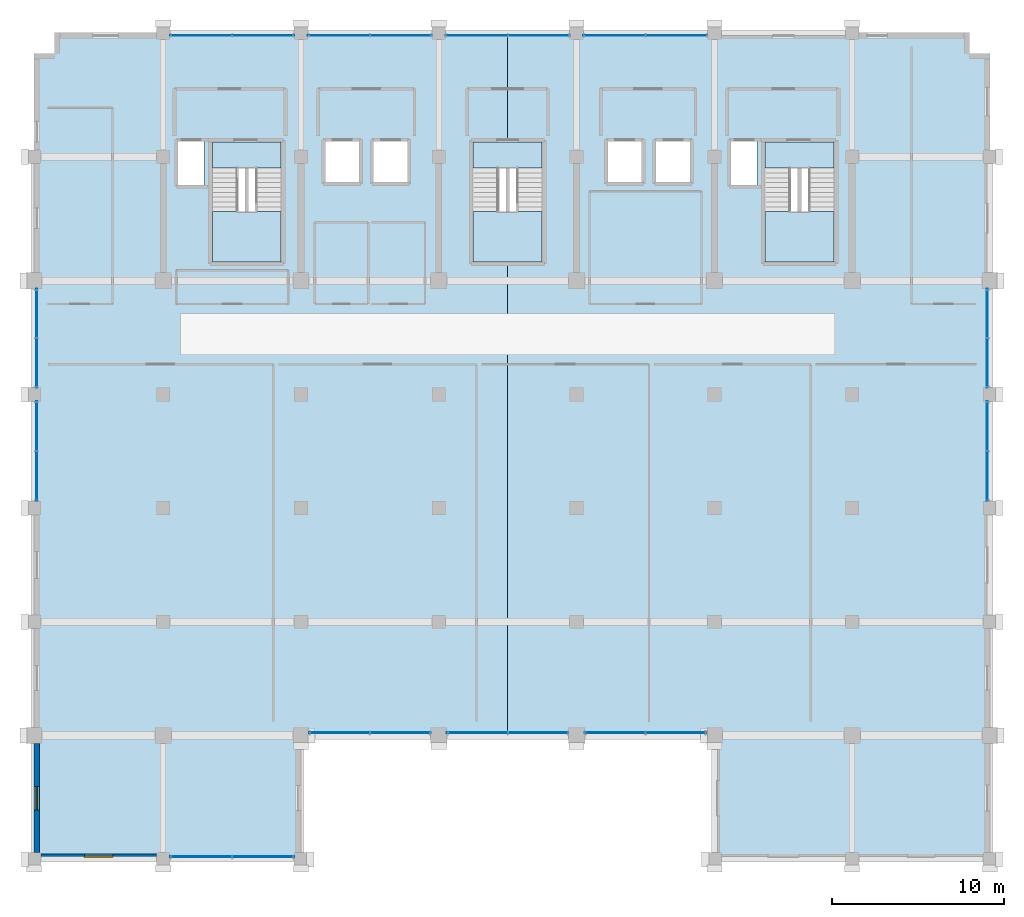
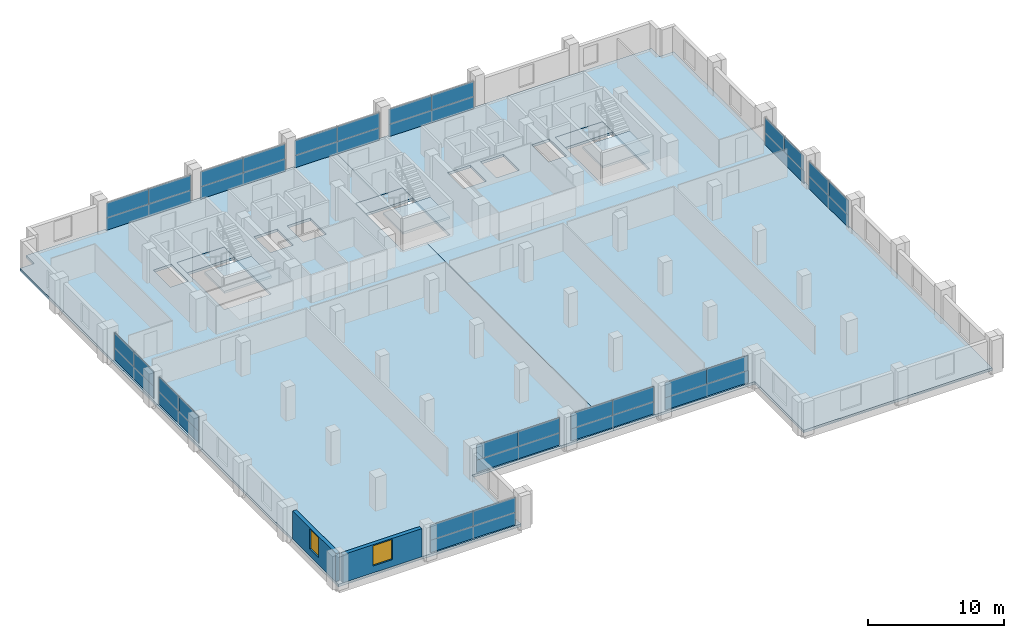
# One storey, part 18 of 23: 36 plates, 8 slabs, 2 walls, 2 windows, 2 openings, 15 elements without a shape of their own.
"""IFC4 building model written with IfcOpenShell, lengths in metres."""

import ifcopenshell
import ifcopenshell.guid

model = None  # the IFC model being written
_history = None  # IfcOwnerHistory: only IFC2X3 demands one
_inside = {}  # id of a spatial element -> (the spatial element, [elements in it])
_under = {}  # id of a project, library or spatial element -> (it, [spatial elements below it])
_declared = {}  # id of a project -> (the project, [libraries it declares])
_typed = {}  # id of a type object -> (the type object, [elements of that type])
_made_of = {}  # id of a material, layer set ... -> (it, [elements and type objects made of it])


def new_model(schema):
    """Start an empty IFC model of exactly this schema.

    Asked for "IFC4X3", IfcOpenShell would pick the latest addendum, in which some entities
    have other attributes; the version numbers below select the first issue.
    IFC2X3 requires an IfcOwnerHistory on every rooted entity: one is made here for all.
    """
    global model, _history
    if schema == "IFC4X3":
        model = ifcopenshell.file(schema_version=(4, 3, 0, 0))
    else:
        model = ifcopenshell.file(schema=schema)
    _inside.clear()
    _under.clear()
    _declared.clear()
    _typed.clear()
    _made_of.clear()
    _history = None
    if model.schema == "IFC2X3":
        org = make("IfcOrganization", Name="unknown")
        user = make(
            "IfcPersonAndOrganization",
            ThePerson=make("IfcPerson", FamilyName="unknown"),
            TheOrganization=org,
        )
        app = make(
            "IfcApplication",
            ApplicationDeveloper=org,
            Version="unknown",
            ApplicationFullName="unknown",
            ApplicationIdentifier="unknown",
        )
        _history = make(
            "IfcOwnerHistory",
            OwningUser=user,
            OwningApplication=app,
            ChangeAction="ADDED",
            CreationDate=0,
        )
    return model


def make(cls, **values):
    """One entity of the class cls with the attributes given. An attribute that is None is left unset."""
    return model.create_entity(
        cls, **{name: value for name, value in values.items() if value is not None}
    )


def rooted(cls, **values):
    """An entity with a GlobalId (a new one), such as an element, a storey or a relation."""
    return make(cls, GlobalId=ifcopenshell.guid.new(), OwnerHistory=_history, **values)


def si_unit(unit_type, name, prefix=None):
    """IfcSIUnit, for example si_unit("LENGTHUNIT", "METRE", prefix="MILLI")."""
    return make("IfcSIUnit", UnitType=unit_type, Prefix=prefix, Name=name)


def assignment(units):
    """IfcUnitAssignment: the units of a project."""
    return None if units is None else make("IfcUnitAssignment", Units=units)


def point(xyz):
    """IfcCartesianPoint."""
    return None if xyz is None else make("IfcCartesianPoint", Coordinates=xyz)


def direction(xyz):
    """IfcDirection."""
    return None if xyz is None else make("IfcDirection", DirectionRatios=xyz)


def frame(location, z_axis=None, x_axis=None):
    """IfcAxis2Placement3D, a coordinate frame: its origin and axes. An axis left out is left unset."""
    return make(
        "IfcAxis2Placement3D",
        Location=point(location),
        Axis=direction(z_axis),
        RefDirection=direction(x_axis),
    )


def frame_2d(location, x_axis=None):
    """IfcAxis2Placement2D, a coordinate frame in the plane: its origin and x axis."""
    return make(
        "IfcAxis2Placement2D", Location=point(location), RefDirection=direction(x_axis)
    )


def origin():
    """The frame at (0, 0, 0) with its axes left unset."""
    return frame((0.0, 0.0, 0.0))


def origin_2d():
    """The frame at (0, 0) in the plane with its x axis left unset."""
    return frame_2d((0.0, 0.0))


def place(relative_to, where):
    """IfcLocalPlacement: puts the frame where relative to a parent placement (None: the world)."""
    return make(
        "IfcLocalPlacement", PlacementRelTo=relative_to, RelativePlacement=where
    )


def context(
    kind, dimensions, precision=None, world=None, true_north=None, identifier=None
):
    """IfcGeometricRepresentationContext, for example the 3D "Model" context."""
    return make(
        "IfcGeometricRepresentationContext",
        ContextIdentifier=identifier,
        ContextType=kind,
        CoordinateSpaceDimension=dimensions,
        Precision=precision,
        WorldCoordinateSystem=world,
        TrueNorth=true_north,
    )


def subcontext(parent, identifier, kind, view, scale=None):
    """IfcGeometricRepresentationSubContext, for example "Body" below "Model"."""
    return make(
        "IfcGeometricRepresentationSubContext",
        ContextIdentifier=identifier,
        ContextType=kind,
        ParentContext=parent,
        TargetScale=scale,
        TargetView=view,
    )


def project(units=None, contexts=None):
    """IfcProject with its units and contexts."""
    return rooted(
        "IfcProject",
        Name="project",
        RepresentationContexts=contexts,
        UnitsInContext=assignment(units),
    )


def spatial(cls, under=None, at=None, **own):
    """A site, building, storey or space (cls), placed at a placement, below another one or the project."""
    s = rooted(cls, ObjectPlacement=at, **own)
    if under is not None:
        _under.setdefault(under.id(), (under, []))[1].append(s)
    return s


def polyline(points):
    """IfcPolyline through the points."""
    return make("IfcPolyline", Points=[point(p) for p in points])


def profile(cls, at=None, kind="AREA", **sizes):
    """A parametric profile (cls). Its sizes go by their IFC names, for example OverallWidth=200.0."""
    return make(cls, ProfileType=kind, Position=at, **sizes)


def rectangle(**sizes):
    """IfcRectangleProfileDef."""
    return profile("IfcRectangleProfileDef", **sizes)


def outline(outer, holes=None, kind="AREA"):
    """IfcArbitraryClosedProfileDef: a profile drawn as a closed curve; with holes, ...WithVoids."""
    if holes is None:
        return make("IfcArbitraryClosedProfileDef", ProfileType=kind, OuterCurve=outer)
    return make(
        "IfcArbitraryProfileDefWithVoids",
        ProfileType=kind,
        OuterCurve=outer,
        InnerCurves=holes,
    )


def extrude(swept, where, along, depth):
    """IfcExtrudedAreaSolid: the profile swept, set in the frame where, extruded along a direction by depth."""
    return make(
        "IfcExtrudedAreaSolid",
        SweptArea=swept,
        Position=where,
        ExtrudedDirection=direction(along),
        Depth=depth,
    )


def shape(context_of_items, identifier, shape_type, items):
    """IfcShapeRepresentation: the items that make up one representation, for example the "Body"."""
    return make(
        "IfcShapeRepresentation",
        ContextOfItems=context_of_items,
        RepresentationIdentifier=identifier,
        RepresentationType=shape_type,
        Items=items,
    )


def material(Name=None, Category=None):
    """IfcMaterial."""
    return make("IfcMaterial", Name=Name, Category=Category)


def layer(
    of_material, thickness, ventilated=None, Name=None, Category=None, Priority=None
):
    """IfcMaterialLayer: one layer of a wall or slab, of a material (None: an air gap)."""
    return make(
        "IfcMaterialLayer",
        Material=of_material,
        LayerThickness=thickness,
        IsVentilated=ventilated,
        Name=Name,
        Category=Category,
        Priority=Priority,
    )


def layer_set(layers, Name=None):
    """IfcMaterialLayerSet."""
    return make("IfcMaterialLayerSet", MaterialLayers=layers, LayerSetName=Name)


def made_of(thing, what):
    """Note that an element or type object is made of a material, layer set ...; save() writes the relation."""
    if what is not None:
        _made_of.setdefault(what.id(), (what, []))[1].append(thing)
    return thing


def type_object(cls, material=None, **own):
    """A type object (cls), such as IfcWallType, which elements share."""
    return made_of(rooted(cls, **own), material)


def element(
    cls,
    number,
    at=None,
    inside=None,
    cuts=None,
    type_object=None,
    material=None,
    context=None,
    identifier="Body",
    shape_type=None,
    held_by="IfcProductDefinitionShape",
    body=None,
    shapes=None,
    **own,
):
    """One element of the class cls, such as IfcWall. Its Tag is "e" and its number.

    at: its placement. inside: the storey or other place that contains it. cuts: it is an
    opening in that element (IfcRelVoidsElement). A single representation is given by context,
    identifier, shape_type and body (its items); several are given by shapes. held_by: the class
    of the entity that holds the representations. save() writes the other relations.
    """
    e = rooted(cls, Tag="e%d" % number, ObjectPlacement=at, **own)
    if body is not None:
        shapes = [shape(context, identifier, shape_type, body)]
    if shapes is not None:
        e.Representation = make(held_by, Representations=shapes)
    if inside is not None:
        _inside.setdefault(inside.id(), (inside, []))[1].append(e)
    if cuts is not None:
        rooted(
            "IfcRelVoidsElement", RelatingBuildingElement=cuts, RelatedOpeningElement=e
        )
    if type_object is not None:
        _typed.setdefault(type_object.id(), (type_object, []))[1].append(e)
    return made_of(e, material)


def fill(opening, filler):
    """IfcRelFillsElement: the door or window that sits in an opening."""
    return rooted(
        "IfcRelFillsElement",
        RelatingOpeningElement=opening,
        RelatedBuildingElement=filler,
    )


def aggregate(whole, parts):
    """IfcRelAggregates: a whole, such as a stair, and the parts it consists of."""
    return rooted("IfcRelAggregates", RelatingObject=whole, RelatedObjects=parts)


def save(model, path):
    """Write the relations noted so far, then the file.

    IfcRelAggregates (storeys below a building ...), IfcRelContainedInSpatialStructure (elements
    in a storey), IfcRelDefinesByType, IfcRelAssociatesMaterial and IfcRelDeclares: one each for
    every whole, place, type object, material and project.
    """
    for whole, parts in _under.values():
        aggregate(whole, parts)
    for where, things in _inside.values():
        rooted(
            "IfcRelContainedInSpatialStructure",
            RelatedElements=things,
            RelatingStructure=where,
        )
    for kind, things in _typed.values():
        rooted("IfcRelDefinesByType", RelatedObjects=things, RelatingType=kind)
    for what, things in _made_of.values():
        rooted("IfcRelAssociatesMaterial", RelatedObjects=things, RelatingMaterial=what)
    for by, libraries in _declared.values():
        rooted("IfcRelDeclares", RelatingContext=by, RelatedDefinitions=libraries)
    model.write(path)


model = new_model("IFC4")

# Units and contexts
model_context = context("Model", 3, precision=1e-05, world=origin(), true_north=direction((0.0, 1.0)))
body_context = subcontext(model_context, "Body", "Model", "MODEL_VIEW")
ifc_project = project(units=[si_unit("LENGTHUNIT", "METRE"), si_unit("AREAUNIT", "SQUARE_METRE"), si_unit("VOLUMEUNIT", "CUBIC_METRE"), si_unit("PLANEANGLEUNIT", "RADIAN"), si_unit("MASSUNIT", "GRAM", prefix="KILO")], contexts=[model_context])

# Site, building, storey
site_placement = place(None, origin())
site = spatial("IfcSite", under=ifc_project, at=site_placement, CompositionType="ELEMENT")
building_placement = place(site_placement, origin())
building = spatial("IfcBuilding", under=site, at=building_placement, Name="Akrevak Sports Hall", CompositionType="ELEMENT")
storey_placement = place(building_placement, frame((0.0, 0.0, 47.050048828125)))
storey = spatial("IfcBuildingStorey", under=building, at=storey_placement, Name="L11", CompositionType="ELEMENT", Elevation=47.050048828125)

# Curtain wall, plates
ifc_material_1 = material(Name="Anodized Bronze Aluminium & Low-E Glass", Category="aluminium")
curtain_wall_type = type_object("IfcCurtainWallType", Name="ARC-CW-TWR-56x30", PredefinedType="NOTDEFINED", material=ifc_material_1)
curtain_wall_1_placement = place(storey_placement, origin())
curtain_wall_1 = element("IfcCurtainWall", 1, at=curtain_wall_1_placement, inside=storey, type_object=curtain_wall_type, Name="Curtain Wall CW-L11-S02", PredefinedType="NOTDEFINED")
ifc_material_2 = material(Name="Double Low-E Tempered Glass", Category="glass")
ifc_layer_1 = layer(ifc_material_2, 0.031982421875, Name="Double Low-E Tempered Glass")
ifc_layer_set_1 = layer_set([ifc_layer_1], Name="Double Low-E Tempered Glass")
plate_type_1 = type_object("IfcPlateType", Name="ARC-CWP-GLZ-32", PredefinedType="CURTAIN_PANEL", material=ifc_layer_set_1)
plate_1_placement = place(storey_placement, frame((62.199951171875, 21.760009765625, 1.099853515625), z_axis=(0.0, 0.0, 1.0), x_axis=(1.0, 0.0, 0.0)))
plate_1 = element("IfcPlate", 2, at=plate_1_placement, type_object=plate_type_1, Name="Vision Glass Panel CW-L11-S02-G1", PredefinedType="CURTAIN_PANEL", context=body_context, shape_type="SweptSolid", body=[
    extrude(rectangle(XDim=3.60009765625, YDim=0.035888671875, at=origin_2d()), origin(), (0.0, 0.0, 1.0), 1.35009765625),
])
plate_2_placement = place(storey_placement, frame((65.800048828125, 21.760009765625, 1.099853515625), z_axis=(0.0, 0.0, 1.0), x_axis=(1.0, 0.0, 0.0)))
plate_2 = element("IfcPlate", 3, at=plate_2_placement, type_object=plate_type_1, Name="Vision Glass Panel CW-L11-S02-G2", PredefinedType="CURTAIN_PANEL", context=body_context, shape_type="SweptSolid", body=[
    extrude(rectangle(XDim=3.60009765625, YDim=0.035888671875, at=origin_2d()), origin(), (0.0, 0.0, 1.0), 1.35009765625),
])

curtain_wall_2_placement = place(storey_placement, origin())
curtain_wall_2 = element("IfcCurtainWall", 4, at=curtain_wall_2_placement, inside=storey, type_object=curtain_wall_type, Name="Curtain Wall CW-L11-S04", PredefinedType="NOTDEFINED")
plate_3_placement = place(storey_placement, frame((70.237548828125, 28.9599609375, 1.099853515625), z_axis=(0.0, 0.0, 1.0), x_axis=(1.0, 0.0, 0.0)))
plate_3 = element("IfcPlate", 5, at=plate_3_placement, type_object=plate_type_1, Name="Vision Glass Panel CW-L11-S04-G1", PredefinedType="CURTAIN_PANEL", context=body_context, shape_type="SweptSolid", body=[
    extrude(rectangle(XDim=3.52490234375, YDim=0.035888671875, at=origin_2d()), origin(), (0.0, 0.0, 1.0), 1.35009765625),
])
plate_4_placement = place(storey_placement, frame((73.762451171875, 28.9599609375, 1.099853515625), z_axis=(0.0, 0.0, 1.0), x_axis=(1.0, 0.0, 0.0)))
plate_4 = element("IfcPlate", 6, at=plate_4_placement, type_object=plate_type_1, Name="Vision Glass Panel CW-L11-S04-G2", PredefinedType="CURTAIN_PANEL", context=body_context, shape_type="SweptSolid", body=[
    extrude(rectangle(XDim=3.52490234375, YDim=0.035888671875, at=origin_2d()), origin(), (0.0, 0.0, 1.0), 1.35009765625),
])

curtain_wall_3_placement = place(storey_placement, origin())
curtain_wall_3 = element("IfcCurtainWall", 7, at=curtain_wall_3_placement, inside=storey, type_object=curtain_wall_type, Name="Curtain Wall CW-L11-S05", PredefinedType="NOTDEFINED")
plate_5_placement = place(storey_placement, frame((78.237548828125, 28.9599609375, 1.099853515625), z_axis=(0.0, 0.0, 1.0), x_axis=(1.0, 0.0, 0.0)))
plate_5 = element("IfcPlate", 8, at=plate_5_placement, type_object=plate_type_1, Name="Vision Glass Panel CW-L11-S05-G1", PredefinedType="CURTAIN_PANEL", context=body_context, shape_type="SweptSolid", body=[
    extrude(rectangle(XDim=3.52490234375, YDim=0.035888671875, at=origin_2d()), origin(), (0.0, 0.0, 1.0), 1.35009765625),
])
plate_6_placement = place(storey_placement, frame((81.762451171875, 28.9599609375, 1.099853515625), z_axis=(0.0, 0.0, 1.0), x_axis=(1.0, 0.0, 0.0)))
plate_6 = element("IfcPlate", 9, at=plate_6_placement, type_object=plate_type_1, Name="Vision Glass Panel CW-L11-S05-G2", PredefinedType="CURTAIN_PANEL", context=body_context, shape_type="SweptSolid", body=[
    extrude(rectangle(XDim=3.52490234375, YDim=0.035888671875, at=origin_2d()), origin(), (0.0, 0.0, 1.0), 1.35009765625),
])

curtain_wall_4_placement = place(storey_placement, origin())
curtain_wall_4 = element("IfcCurtainWall", 10, at=curtain_wall_4_placement, inside=storey, type_object=curtain_wall_type, Name="Curtain Wall CW-L11-S06", PredefinedType="NOTDEFINED")
plate_7_placement = place(storey_placement, frame((86.237548828125, 28.9599609375, 1.099853515625), z_axis=(0.0, 0.0, 1.0), x_axis=(1.0, 0.0, 0.0)))
plate_7 = element("IfcPlate", 11, at=plate_7_placement, type_object=plate_type_1, Name="Vision Glass Panel CW-L11-S06-G1", PredefinedType="CURTAIN_PANEL", context=body_context, shape_type="SweptSolid", body=[
    extrude(rectangle(XDim=3.52490234375, YDim=0.035888671875, at=origin_2d()), origin(), (0.0, 0.0, 1.0), 1.35009765625),
])
plate_8_placement = place(storey_placement, frame((89.762451171875, 28.9599609375, 1.099853515625), z_axis=(0.0, 0.0, 1.0), x_axis=(1.0, 0.0, 0.0)))
plate_8 = element("IfcPlate", 12, at=plate_8_placement, type_object=plate_type_1, Name="Vision Glass Panel CW-L11-S06-G2", PredefinedType="CURTAIN_PANEL", context=body_context, shape_type="SweptSolid", body=[
    extrude(rectangle(XDim=3.52490234375, YDim=0.035888671875, at=origin_2d()), origin(), (0.0, 0.0, 1.0), 1.35009765625),
])

curtain_wall_5_placement = place(storey_placement, origin())
curtain_wall_5 = element("IfcCurtainWall", 13, at=curtain_wall_5_placement, inside=storey, type_object=curtain_wall_type, Name="Curtain Wall CW-L11-E13", PredefinedType="NOTDEFINED")
plate_9_placement = place(storey_placement, frame((107.840087890625, 43.85009765625, 1.099853515625), z_axis=(0.0, 0.0, 1.0), x_axis=(0.0, 1.0, 0.0)))
plate_9 = element("IfcPlate", 14, at=plate_9_placement, type_object=plate_type_1, Name="Vision Glass Panel CW-L11-E13-G1", PredefinedType="CURTAIN_PANEL", context=body_context, shape_type="SweptSolid", body=[
    extrude(rectangle(XDim=2.89990234375, YDim=0.035888671875, at=origin_2d()), origin(), (0.0, 0.0, 1.0), 1.35009765625),
])
plate_10_placement = place(storey_placement, frame((107.840087890625, 46.75, 1.099853515625), z_axis=(0.0, 0.0, 1.0), x_axis=(0.0, 1.0, 0.0)))
plate_10 = element("IfcPlate", 15, at=plate_10_placement, type_object=plate_type_1, Name="Vision Glass Panel CW-L11-E13-G2", PredefinedType="CURTAIN_PANEL", context=body_context, shape_type="SweptSolid", body=[
    extrude(rectangle(XDim=2.89990234375, YDim=0.035888671875, at=origin_2d()), origin(), (0.0, 0.0, 1.0), 1.35009765625),
])

curtain_wall_6_placement = place(storey_placement, origin())
curtain_wall_6 = element("IfcCurtainWall", 16, at=curtain_wall_6_placement, inside=storey, type_object=curtain_wall_type, Name="Curtain Wall CW-L11-E14", PredefinedType="NOTDEFINED")
plate_11_placement = place(storey_placement, frame((107.840087890625, 50.43115234375, 1.099853515625), z_axis=(0.0, 0.0, 1.0), x_axis=(0.0, 1.0, 0.0)))
plate_11 = element("IfcPlate", 17, at=plate_11_placement, type_object=plate_type_1, Name="Vision Glass Panel CW-L11-E14-G1", PredefinedType="CURTAIN_PANEL", context=body_context, shape_type="SweptSolid", body=[
    extrude(rectangle(XDim=2.862548828125, YDim=0.035888671875, at=origin_2d()), origin(), (0.0, 0.0, 1.0), 1.35009765625),
])
plate_12_placement = place(storey_placement, frame((107.840087890625, 53.293701171875, 1.099853515625), z_axis=(0.0, 0.0, 1.0), x_axis=(0.0, 1.0, 0.0)))
plate_12 = element("IfcPlate", 18, at=plate_12_placement, type_object=plate_type_1, Name="Vision Glass Panel CW-L11-E14-G2", PredefinedType="CURTAIN_PANEL", context=body_context, shape_type="SweptSolid", body=[
    extrude(rectangle(XDim=2.862548828125, YDim=0.035888671875, at=origin_2d()), origin(), (0.0, 0.0, 1.0), 1.35009765625),
])

curtain_wall_7_placement = place(storey_placement, origin())
curtain_wall_7 = element("IfcCurtainWall", 19, at=curtain_wall_7_placement, inside=storey, type_object=curtain_wall_type, Name="Curtain Wall CW-L11-N21", PredefinedType="NOTDEFINED")
plate_13_placement = place(storey_placement, frame((89.800048828125, 69.43994140625, 1.099853515625), z_axis=(0.0, 0.0, 1.0), x_axis=(-1.0, 0.0, 0.0)))
plate_13 = element("IfcPlate", 20, at=plate_13_placement, type_object=plate_type_1, Name="Vision Glass Panel CW-L11-N21-G1", PredefinedType="CURTAIN_PANEL", context=body_context, shape_type="SweptSolid", body=[
    extrude(rectangle(XDim=3.60009765625, YDim=0.035888671875, at=origin_2d()), origin(), (0.0, 0.0, 1.0), 1.35009765625),
])
plate_14_placement = place(storey_placement, frame((86.199951171875, 69.43994140625, 1.099853515625), z_axis=(0.0, 0.0, 1.0), x_axis=(-1.0, 0.0, 0.0)))
plate_14 = element("IfcPlate", 21, at=plate_14_placement, type_object=plate_type_1, Name="Vision Glass Panel CW-L11-N21-G2", PredefinedType="CURTAIN_PANEL", context=body_context, shape_type="SweptSolid", body=[
    extrude(rectangle(XDim=3.60009765625, YDim=0.035888671875, at=origin_2d()), origin(), (0.0, 0.0, 1.0), 1.35009765625),
])

curtain_wall_8_placement = place(storey_placement, origin())
curtain_wall_8 = element("IfcCurtainWall", 22, at=curtain_wall_8_placement, inside=storey, type_object=curtain_wall_type, Name="Curtain Wall CW-L11-N22", PredefinedType="NOTDEFINED")
plate_15_placement = place(storey_placement, frame((81.800048828125, 69.43994140625, 1.099853515625), z_axis=(0.0, 0.0, 1.0), x_axis=(-1.0, 0.0, 0.0)))
plate_15 = element("IfcPlate", 23, at=plate_15_placement, type_object=plate_type_1, Name="Vision Glass Panel CW-L11-N22-G1", PredefinedType="CURTAIN_PANEL", context=body_context, shape_type="SweptSolid", body=[
    extrude(rectangle(XDim=3.60009765625, YDim=0.035888671875, at=origin_2d()), origin(), (0.0, 0.0, 1.0), 1.35009765625),
])
plate_16_placement = place(storey_placement, frame((78.199951171875, 69.43994140625, 1.099853515625), z_axis=(0.0, 0.0, 1.0), x_axis=(-1.0, 0.0, 0.0)))
plate_16 = element("IfcPlate", 24, at=plate_16_placement, type_object=plate_type_1, Name="Vision Glass Panel CW-L11-N22-G2", PredefinedType="CURTAIN_PANEL", context=body_context, shape_type="SweptSolid", body=[
    extrude(rectangle(XDim=3.60009765625, YDim=0.035888671875, at=origin_2d()), origin(), (0.0, 0.0, 1.0), 1.35009765625),
])

curtain_wall_9_placement = place(storey_placement, origin())
curtain_wall_9 = element("IfcCurtainWall", 25, at=curtain_wall_9_placement, inside=storey, type_object=curtain_wall_type, Name="Curtain Wall CW-L11-N23", PredefinedType="NOTDEFINED")
plate_17_placement = place(storey_placement, frame((73.800048828125, 69.43994140625, 1.099853515625), z_axis=(0.0, 0.0, 1.0), x_axis=(-1.0, 0.0, 0.0)))
plate_17 = element("IfcPlate", 26, at=plate_17_placement, type_object=plate_type_1, Name="Vision Glass Panel CW-L11-N23-G1", PredefinedType="CURTAIN_PANEL", context=body_context, shape_type="SweptSolid", body=[
    extrude(rectangle(XDim=3.60009765625, YDim=0.035888671875, at=origin_2d()), origin(), (0.0, 0.0, 1.0), 1.35009765625),
])
plate_18_placement = place(storey_placement, frame((70.199951171875, 69.43994140625, 1.099853515625), z_axis=(0.0, 0.0, 1.0), x_axis=(-1.0, 0.0, 0.0)))
plate_18 = element("IfcPlate", 27, at=plate_18_placement, type_object=plate_type_1, Name="Vision Glass Panel CW-L11-N23-G2", PredefinedType="CURTAIN_PANEL", context=body_context, shape_type="SweptSolid", body=[
    extrude(rectangle(XDim=3.60009765625, YDim=0.035888671875, at=origin_2d()), origin(), (0.0, 0.0, 1.0), 1.35009765625),
])

curtain_wall_10_placement = place(storey_placement, origin())
curtain_wall_10 = element("IfcCurtainWall", 28, at=curtain_wall_10_placement, inside=storey, type_object=curtain_wall_type, Name="Curtain Wall CW-L11-N24", PredefinedType="NOTDEFINED")
plate_19_placement = place(storey_placement, frame((65.800048828125, 69.43994140625, 1.099853515625), z_axis=(0.0, 0.0, 1.0), x_axis=(-1.0, 0.0, 0.0)))
plate_19 = element("IfcPlate", 29, at=plate_19_placement, type_object=plate_type_1, Name="Vision Glass Panel CW-L11-N24-G1", PredefinedType="CURTAIN_PANEL", context=body_context, shape_type="SweptSolid", body=[
    extrude(rectangle(XDim=3.60009765625, YDim=0.035888671875, at=origin_2d()), origin(), (0.0, 0.0, 1.0), 1.35009765625),
])
plate_20_placement = place(storey_placement, frame((62.199951171875, 69.43994140625, 1.099853515625), z_axis=(0.0, 0.0, 1.0), x_axis=(-1.0, 0.0, 0.0)))
plate_20 = element("IfcPlate", 30, at=plate_20_placement, type_object=plate_type_1, Name="Vision Glass Panel CW-L11-N24-G2", PredefinedType="CURTAIN_PANEL", context=body_context, shape_type="SweptSolid", body=[
    extrude(rectangle(XDim=3.60009765625, YDim=0.035888671875, at=origin_2d()), origin(), (0.0, 0.0, 1.0), 1.35009765625),
])

curtain_wall_11_placement = place(storey_placement, origin())
curtain_wall_11 = element("IfcCurtainWall", 31, at=curtain_wall_11_placement, inside=storey, type_object=curtain_wall_type, Name="Curtain Wall CW-L11-W30", PredefinedType="NOTDEFINED")
plate_21_placement = place(storey_placement, frame((52.659912109375, 53.293701171875, 1.099853515625), z_axis=(0.0, 0.0, 1.0), x_axis=(0.0, -1.0, 0.0)))
plate_21 = element("IfcPlate", 32, at=plate_21_placement, type_object=plate_type_1, Name="Vision Glass Panel CW-L11-W30-G1", PredefinedType="CURTAIN_PANEL", context=body_context, shape_type="SweptSolid", body=[
    extrude(rectangle(XDim=2.862548828125, YDim=0.035888671875, at=origin_2d()), origin(), (0.0, 0.0, 1.0), 1.35009765625),
])
plate_22_placement = place(storey_placement, frame((52.659912109375, 50.43115234375, 1.099853515625), z_axis=(0.0, 0.0, 1.0), x_axis=(0.0, -1.0, 0.0)))
plate_22 = element("IfcPlate", 33, at=plate_22_placement, type_object=plate_type_1, Name="Vision Glass Panel CW-L11-W30-G2", PredefinedType="CURTAIN_PANEL", context=body_context, shape_type="SweptSolid", body=[
    extrude(rectangle(XDim=2.862548828125, YDim=0.035888671875, at=origin_2d()), origin(), (0.0, 0.0, 1.0), 1.35009765625),
])

curtain_wall_12_placement = place(storey_placement, origin())
curtain_wall_12 = element("IfcCurtainWall", 34, at=curtain_wall_12_placement, inside=storey, type_object=curtain_wall_type, Name="Curtain Wall CW-L11-W31", PredefinedType="NOTDEFINED")
plate_23_placement = place(storey_placement, frame((52.659912109375, 46.75, 1.099853515625), z_axis=(0.0, 0.0, 1.0), x_axis=(0.0, -1.0, 0.0)))
plate_23 = element("IfcPlate", 35, at=plate_23_placement, type_object=plate_type_1, Name="Vision Glass Panel CW-L11-W31-G1", PredefinedType="CURTAIN_PANEL", context=body_context, shape_type="SweptSolid", body=[
    extrude(rectangle(XDim=2.89990234375, YDim=0.035888671875, at=origin_2d()), origin(), (0.0, 0.0, 1.0), 1.35009765625),
])
plate_24_placement = place(storey_placement, frame((52.659912109375, 43.85009765625, 1.099853515625), z_axis=(0.0, 0.0, 1.0), x_axis=(0.0, -1.0, 0.0)))
plate_24 = element("IfcPlate", 36, at=plate_24_placement, type_object=plate_type_1, Name="Vision Glass Panel CW-L11-W31-G2", PredefinedType="CURTAIN_PANEL", context=body_context, shape_type="SweptSolid", body=[
    extrude(rectangle(XDim=2.89990234375, YDim=0.035888671875, at=origin_2d()), origin(), (0.0, 0.0, 1.0), 1.35009765625),
])

# Plate
ifc_material_3 = material(Name="Insulated Bronze Spandrel Panel", Category="aluminium")
ifc_layer_2 = layer(ifc_material_3, 0.0400390625, Name="Insulated Bronze Spandrel Panel")
ifc_layer_set_2 = layer_set([ifc_layer_2], Name="Insulated Bronze Spandrel Panel")
plate_type_2 = type_object("IfcPlateType", Name="ARC-CWP-SPD-40", PredefinedType="CURTAIN_PANEL", material=ifc_layer_set_2)
plate_25_placement = place(storey_placement, frame((64.0, 21.760009765625, 0.0), z_axis=(0.0, 0.0, 1.0), x_axis=(1.0, 0.0, 0.0)))
plate_25 = element("IfcPlate", 37, at=plate_25_placement, type_object=plate_type_2, Name="Insulated Spandrel Panel CW-L11-S02-S1", PredefinedType="CURTAIN_PANEL", context=body_context, shape_type="SweptSolid", body=[
    extrude(rectangle(XDim=7.199951171875, YDim=0.0439453125, at=origin_2d()), origin(), (0.0, 0.0, 1.0), 1.10009765625),
])

aggregate(curtain_wall_1, [plate_1, plate_2, plate_25])

plate_26_placement = place(storey_placement, frame((72.0, 28.9599609375, 0.0), z_axis=(0.0, 0.0, 1.0), x_axis=(1.0, 0.0, 0.0)))
plate_26 = element("IfcPlate", 38, at=plate_26_placement, type_object=plate_type_2, Name="Insulated Spandrel Panel CW-L11-S04-S1", PredefinedType="CURTAIN_PANEL", context=body_context, shape_type="SweptSolid", body=[
    extrude(rectangle(XDim=7.050048828125, YDim=0.0439453125, at=origin_2d()), origin(), (0.0, 0.0, 1.0), 1.10009765625),
])

aggregate(curtain_wall_2, [plate_3, plate_4, plate_26])

plate_27_placement = place(storey_placement, frame((80.0, 28.9599609375, 0.0), z_axis=(0.0, 0.0, 1.0), x_axis=(1.0, 0.0, 0.0)))
plate_27 = element("IfcPlate", 39, at=plate_27_placement, type_object=plate_type_2, Name="Insulated Spandrel Panel CW-L11-S05-S1", PredefinedType="CURTAIN_PANEL", context=body_context, shape_type="SweptSolid", body=[
    extrude(rectangle(XDim=7.050048828125, YDim=0.0439453125, at=origin_2d()), origin(), (0.0, 0.0, 1.0), 1.10009765625),
])

aggregate(curtain_wall_3, [plate_5, plate_6, plate_27])

plate_28_placement = place(storey_placement, frame((88.0, 28.9599609375, 0.0), z_axis=(0.0, 0.0, 1.0), x_axis=(1.0, 0.0, 0.0)))
plate_28 = element("IfcPlate", 40, at=plate_28_placement, type_object=plate_type_2, Name="Insulated Spandrel Panel CW-L11-S06-S1", PredefinedType="CURTAIN_PANEL", context=body_context, shape_type="SweptSolid", body=[
    extrude(rectangle(XDim=7.050048828125, YDim=0.0439453125, at=origin_2d()), origin(), (0.0, 0.0, 1.0), 1.10009765625),
])

aggregate(curtain_wall_4, [plate_7, plate_8, plate_28])

plate_29_placement = place(storey_placement, frame((107.840087890625, 45.300048828125, 0.0), z_axis=(0.0, 0.0, 1.0), x_axis=(0.0, 1.0, 0.0)))
plate_29 = element("IfcPlate", 41, at=plate_29_placement, type_object=plate_type_2, Name="Insulated Spandrel Panel CW-L11-E13-S1", PredefinedType="CURTAIN_PANEL", context=body_context, shape_type="SweptSolid", body=[
    extrude(rectangle(XDim=5.800048828125, YDim=0.0439453125, at=origin_2d()), origin(), (0.0, 0.0, 1.0), 1.10009765625),
])

aggregate(curtain_wall_5, [plate_9, plate_10, plate_29])

plate_30_placement = place(storey_placement, frame((107.840087890625, 51.862548828125, 0.0), z_axis=(0.0, 0.0, 1.0), x_axis=(0.0, 1.0, 0.0)))
plate_30 = element("IfcPlate", 42, at=plate_30_placement, type_object=plate_type_2, Name="Insulated Spandrel Panel CW-L11-E14-S1", PredefinedType="CURTAIN_PANEL", context=body_context, shape_type="SweptSolid", body=[
    extrude(rectangle(XDim=5.72509765625, YDim=0.0439453125, at=origin_2d()), origin(), (0.0, 0.0, 1.0), 1.10009765625),
])

aggregate(curtain_wall_6, [plate_11, plate_12, plate_30])

plate_31_placement = place(storey_placement, frame((88.0, 69.43994140625, 0.0), z_axis=(0.0, 0.0, 1.0), x_axis=(-1.0, 0.0, 0.0)))
plate_31 = element("IfcPlate", 43, at=plate_31_placement, type_object=plate_type_2, Name="Insulated Spandrel Panel CW-L11-N21-S1", PredefinedType="CURTAIN_PANEL", context=body_context, shape_type="SweptSolid", body=[
    extrude(rectangle(XDim=7.199951171875, YDim=0.0439453125, at=origin_2d()), origin(), (0.0, 0.0, 1.0), 1.10009765625),
])

aggregate(curtain_wall_7, [plate_13, plate_14, plate_31])

plate_32_placement = place(storey_placement, frame((80.0, 69.43994140625, 0.0), z_axis=(0.0, 0.0, 1.0), x_axis=(-1.0, 0.0, 0.0)))
plate_32 = element("IfcPlate", 44, at=plate_32_placement, type_object=plate_type_2, Name="Insulated Spandrel Panel CW-L11-N22-S1", PredefinedType="CURTAIN_PANEL", context=body_context, shape_type="SweptSolid", body=[
    extrude(rectangle(XDim=7.199951171875, YDim=0.0439453125, at=origin_2d()), origin(), (0.0, 0.0, 1.0), 1.10009765625),
])

aggregate(curtain_wall_8, [plate_15, plate_16, plate_32])

plate_33_placement = place(storey_placement, frame((72.0, 69.43994140625, 0.0), z_axis=(0.0, 0.0, 1.0), x_axis=(-1.0, 0.0, 0.0)))
plate_33 = element("IfcPlate", 45, at=plate_33_placement, type_object=plate_type_2, Name="Insulated Spandrel Panel CW-L11-N23-S1", PredefinedType="CURTAIN_PANEL", context=body_context, shape_type="SweptSolid", body=[
    extrude(rectangle(XDim=7.199951171875, YDim=0.0439453125, at=origin_2d()), origin(), (0.0, 0.0, 1.0), 1.10009765625),
])

aggregate(curtain_wall_9, [plate_17, plate_18, plate_33])

plate_34_placement = place(storey_placement, frame((64.0, 69.43994140625, 0.0), z_axis=(0.0, 0.0, 1.0), x_axis=(-1.0, 0.0, 0.0)))
plate_34 = element("IfcPlate", 46, at=plate_34_placement, type_object=plate_type_2, Name="Insulated Spandrel Panel CW-L11-N24-S1", PredefinedType="CURTAIN_PANEL", context=body_context, shape_type="SweptSolid", body=[
    extrude(rectangle(XDim=7.199951171875, YDim=0.0439453125, at=origin_2d()), origin(), (0.0, 0.0, 1.0), 1.10009765625),
])

aggregate(curtain_wall_10, [plate_19, plate_20, plate_34])

plate_35_placement = place(storey_placement, frame((52.659912109375, 51.862548828125, 0.0), z_axis=(0.0, 0.0, 1.0), x_axis=(0.0, -1.0, 0.0)))
plate_35 = element("IfcPlate", 47, at=plate_35_placement, type_object=plate_type_2, Name="Insulated Spandrel Panel CW-L11-W30-S1", PredefinedType="CURTAIN_PANEL", context=body_context, shape_type="SweptSolid", body=[
    extrude(rectangle(XDim=5.72509765625, YDim=0.0439453125, at=origin_2d()), origin(), (0.0, 0.0, 1.0), 1.10009765625),
])

aggregate(curtain_wall_11, [plate_21, plate_22, plate_35])

plate_36_placement = place(storey_placement, frame((52.659912109375, 45.300048828125, 0.0), z_axis=(0.0, 0.0, 1.0), x_axis=(0.0, -1.0, 0.0)))
plate_36 = element("IfcPlate", 48, at=plate_36_placement, type_object=plate_type_2, Name="Insulated Spandrel Panel CW-L11-W31-S1", PredefinedType="CURTAIN_PANEL", context=body_context, shape_type="SweptSolid", body=[
    extrude(rectangle(XDim=5.800048828125, YDim=0.0439453125, at=origin_2d()), origin(), (0.0, 0.0, 1.0), 1.10009765625),
])

aggregate(curtain_wall_12, [plate_23, plate_24, plate_36])

# Slabs
ifc_material_4 = material(Name="Concrete C40/50", Category="concrete")
ifc_layer_3 = layer(ifc_material_4, 0.22998046875, Name="Concrete C40/50")
ifc_layer_set_3 = layer_set([ifc_layer_3], Name="Concrete C40/50")
slab_type_1 = type_object("IfcSlabType", Name="STR-SLB-FLR-230", PredefinedType="FLOOR", material=ifc_layer_set_3)
slab_1_placement = place(storey_placement, frame((0.0, 0.0, -0.22998046875)))
element("IfcSlab", 49, at=slab_1_placement, inside=storey, type_object=slab_type_1, Name="Structural Floor Slab L11-1.1", PredefinedType="FLOOR", context=body_context, shape_type="SweptSolid", body=[
    extrude(outline(polyline([(52.5, 68.39990234375), (52.5, 21.60009765625), (68.0, 21.60009765625), (68.0, 28.800048828125), (80.0, 28.800048828125), (80.0, 56.300048828125), (78.0, 56.300048828125), (78.0, 63.25), (80.0, 63.25), (80.0, 69.60009765625), (53.699951171875, 69.60009765625), (53.699951171875, 68.39990234375), (52.5, 68.39990234375)]), holes=[polyline([(62.85009765625, 63.25), (66.85009765625, 63.25), (66.85009765625, 56.300048828125), (62.85009765625, 56.300048828125), (62.85009765625, 63.25)]), polyline([(60.8701171875, 63.280029296875), (62.3798828125, 63.280029296875), (62.3798828125, 60.77001953125), (60.8701171875, 60.77001953125), (60.8701171875, 63.280029296875)]), polyline([(69.419921875, 63.280029296875), (71.3798828125, 63.280029296875), (71.3798828125, 60.919921875), (69.419921875, 60.919921875), (69.419921875, 63.280029296875)]), polyline([(72.219970703125, 63.280029296875), (74.179931640625, 63.280029296875), (74.179931640625, 60.919921875), (72.219970703125, 60.919921875), (72.219970703125, 63.280029296875)])]), origin(), (0.0, 0.0, 1.0), 0.22998046875),
])
slab_2_placement = place(storey_placement, frame((0.0, 0.0, -0.22998046875)))
element("IfcSlab", 50, at=slab_2_placement, inside=storey, type_object=slab_type_1, Name="Structural Floor Slab L11-2.1", PredefinedType="FLOOR", context=body_context, shape_type="SweptSolid", body=[
    extrude(outline(polyline([(80.0, 69.60009765625), (80.0, 63.25), (82.0, 63.25), (82.0, 56.300048828125), (80.0, 56.300048828125), (80.0, 28.800048828125), (92.0, 28.800048828125), (92.0, 21.60009765625), (108.0, 21.60009765625), (108.0, 68.39990234375), (106.800048828125, 68.39990234375), (106.800048828125, 69.60009765625), (80.0, 69.60009765625)]), holes=[polyline([(94.949951171875, 63.25), (98.949951171875, 63.25), (98.949951171875, 56.300048828125), (94.949951171875, 56.300048828125), (94.949951171875, 63.25)]), polyline([(92.969970703125, 63.280029296875), (94.47998046875, 63.280029296875), (94.47998046875, 60.77001953125), (92.969970703125, 60.77001953125), (92.969970703125, 63.280029296875)]), polyline([(87.780029296875, 63.280029296875), (87.780029296875, 60.919921875), (85.820068359375, 60.919921875), (85.820068359375, 63.280029296875), (87.780029296875, 63.280029296875)]), polyline([(90.580078125, 63.280029296875), (90.580078125, 60.919921875), (88.6201171875, 60.919921875), (88.6201171875, 63.280029296875), (90.580078125, 63.280029296875)])]), origin(), (0.0, 0.0, 1.0), 0.22998046875),
])

# Stair, slab
stair_type = type_object("IfcStairType", Name="ARC-STR-DOG-325", PredefinedType="HALF_TURN_STAIR", material=ifc_material_4)
stair_1_placement = place(storey_placement, origin())
stair_1 = element("IfcStair", 51, at=stair_1_placement, inside=storey, type_object=stair_type, Name="Protected Exit Stair ST1 (L11 to L12)", PredefinedType="HALF_TURN_STAIR")
ifc_layer_4 = layer(ifc_material_4, 0.199951171875, Name="Concrete C40/50")
ifc_layer_set_4 = layer_set([ifc_layer_4], Name="Concrete C40/50")
slab_type_2 = type_object("IfcSlabType", Name="STR-SLB-LAND-200", PredefinedType="LANDING", material=ifc_layer_set_4)
slab_3_placement = place(storey_placement, frame((0.0, 0.0, 1.425048828125)))
slab_3 = element("IfcSlab", 52, at=slab_3_placement, type_object=slab_type_2, Name="Stair ST1 Half-Landing 1 (L11)", PredefinedType="LANDING", context=body_context, shape_type="SweptSolid", body=[
    extrude(outline(polyline([(62.85009765625, 56.300048828125), (66.85009765625, 56.300048828125), (66.85009765625, 59.215087890625), (62.85009765625, 59.215087890625), (62.85009765625, 56.300048828125)])), origin(), (0.0, 0.0, 1.0), 0.199951171875),
])
aggregate(stair_1, [slab_3])

stair_2_placement = place(storey_placement, origin())
stair_2 = element("IfcStair", 53, at=stair_2_placement, inside=storey, type_object=stair_type, Name="Protected Exit Stair ST2 (L11 to L12)", PredefinedType="HALF_TURN_STAIR")
slab_4_placement = place(storey_placement, frame((0.0, 0.0, 1.425048828125)))
slab_4 = element("IfcSlab", 54, at=slab_4_placement, type_object=slab_type_2, Name="Stair ST2 Half-Landing 1 (L11)", PredefinedType="LANDING", context=body_context, shape_type="SweptSolid", body=[
    extrude(outline(polyline([(94.949951171875, 56.300048828125), (98.949951171875, 56.300048828125), (98.949951171875, 59.215087890625), (94.949951171875, 59.215087890625), (94.949951171875, 56.300048828125)])), origin(), (0.0, 0.0, 1.0), 0.199951171875),
])
aggregate(stair_2, [slab_4])

stair_3_placement = place(storey_placement, origin())
stair_3 = element("IfcStair", 55, at=stair_3_placement, inside=storey, type_object=stair_type, Name="Protected Exit Stair ST3 (L11 to L12)", PredefinedType="HALF_TURN_STAIR")
slab_5_placement = place(storey_placement, frame((0.0, 0.0, 1.425048828125)))
slab_5 = element("IfcSlab", 56, at=slab_5_placement, type_object=slab_type_2, Name="Stair ST3 Half-Landing 1 (L11)", PredefinedType="LANDING", context=body_context, shape_type="SweptSolid", body=[
    extrude(outline(polyline([(78.0, 56.300048828125), (82.0, 56.300048828125), (82.0, 59.215087890625), (78.0, 59.215087890625), (78.0, 56.300048828125)])), origin(), (0.0, 0.0, 1.0), 0.199951171875),
])
aggregate(stair_3, [slab_5])

# Slabs
ifc_layer_5 = layer(ifc_material_4, 0.219970703125, Name="Concrete C40/50")
ifc_layer_set_5 = layer_set([ifc_layer_5], Name="Concrete C40/50")
slab_type_3 = type_object("IfcSlabType", Name="STR-SLB-LAND-220", PredefinedType="LANDING", material=ifc_layer_set_5)
slab_6_placement = place(storey_placement, frame((0.0, 0.0, -0.219970703125)))
element("IfcSlab", 57, at=slab_6_placement, inside=storey, type_object=slab_type_3, Name="Stair ST1 Floor Landing (L11)", PredefinedType="LANDING", context=body_context, shape_type="SweptSolid", body=[
    extrude(outline(polyline([(62.85009765625, 61.735107421875), (66.85009765625, 61.735107421875), (66.85009765625, 63.25), (62.85009765625, 63.25), (62.85009765625, 61.735107421875)])), origin(), (0.0, 0.0, 1.0), 0.219970703125),
])
slab_7_placement = place(storey_placement, frame((0.0, 0.0, -0.219970703125)))
element("IfcSlab", 58, at=slab_7_placement, inside=storey, type_object=slab_type_3, Name="Stair ST2 Floor Landing (L11)", PredefinedType="LANDING", context=body_context, shape_type="SweptSolid", body=[
    extrude(outline(polyline([(94.949951171875, 61.735107421875), (98.949951171875, 61.735107421875), (98.949951171875, 63.25), (94.949951171875, 63.25), (94.949951171875, 61.735107421875)])), origin(), (0.0, 0.0, 1.0), 0.219970703125),
])
slab_8_placement = place(storey_placement, frame((0.0, 0.0, -0.219970703125)))
element("IfcSlab", 59, at=slab_8_placement, inside=storey, type_object=slab_type_3, Name="Stair ST3 Floor Landing (L11)", PredefinedType="LANDING", context=body_context, shape_type="SweptSolid", body=[
    extrude(outline(polyline([(78.0, 61.735107421875), (82.0, 61.735107421875), (82.0, 63.25), (78.0, 63.25), (78.0, 61.735107421875)])), origin(), (0.0, 0.0, 1.0), 0.219970703125),
])

# Wall, opening, window
ifc_material_5 = material(Name="Limestone Ashlar", Category="stone")
ifc_layer_6 = layer(ifc_material_5, 0.070068359375, Name="Limestone Ashlar")
ifc_material_6 = material(Name="Mineral Wool Thermal Insulation", Category="insulation")
ifc_layer_7 = layer(ifc_material_6, 0.090087890625, Name="Mineral Wool Thermal Insulation")
ifc_layer_8 = layer(ifc_material_4, 0.159912109375, Name="Concrete C40/50")
ifc_layer_set_6 = layer_set([ifc_layer_6, ifc_layer_7, ifc_layer_8], Name="Limestone Ashlar / Mineral Wool Thermal Insulation / Concrete C40/50")
wall_type = type_object("IfcWallType", Name="ARC-WL-EXT-320", PredefinedType="SOLIDWALL", material=ifc_layer_set_6)
wall_1_placement = place(storey_placement, frame((52.89990234375, 21.760009765625, 0.0), z_axis=(0.0, 0.0, 1.0), x_axis=(1.0, 0.0, 0.0)))
wall_1 = element("IfcWall", 60, at=wall_1_placement, inside=storey, type_object=wall_type, Name="Tower Stone Facade Wall L11-S01", PredefinedType="SOLIDWALL", context=body_context, shape_type="SweptSolid", body=[
    extrude(rectangle(XDim=6.7001953125, YDim=0.320068359375, at=frame_2d((3.35009765625, 0.0))), origin(), (0.0, 0.0, 1.0), 2.530029296875),
])
opening_1_placement = place(wall_1_placement, frame((2.52490234375, 0.0, 0.6201171875)))
opening_1 = element("IfcOpeningElement", 61, at=opening_1_placement, cuts=wall_1, Name="Opening WN-58", PredefinedType="OPENING", context=body_context, shape_type="SweptSolid", body=[
    extrude(rectangle(XDim=1.64990234375, YDim=1.81005859375, at=frame_2d((0.824951171875, 0.905029296875))), frame((0.0, 0.171875, 0.0), z_axis=(0.0, -1.0, 0.0), x_axis=(1.0, 0.0, 0.0)), (0.0, 0.0, 1.0), 0.343994140625),
])
ifc_material_7 = material(Name="Thermally Broken Bronze Frame & Double Low-E Glass", Category="glass")
window_type_1 = type_object("IfcWindowType", Name="ARC-WIN-SZ-1650x1810", PartitioningType="SINGLE_PANEL", PredefinedType="WINDOW", material=ifc_material_7)
window_1_placement = place(opening_1_placement, origin())
window_1 = element("IfcWindow", 62, at=window_1_placement, inside=storey, type_object=window_type_1, Name="Tower Window L11-S01", OverallHeight=1.81005859375, OverallWidth=1.64990234375, PartitioningType="SINGLE_PANEL", PredefinedType="WINDOW", context=body_context, shape_type="SweptSolid", body=[
    extrude(rectangle(XDim=1.64990234375, YDim=1.81005859375, at=frame_2d((0.824951171875, 0.905029296875))), frame((0.0, 0.030029296875, 0.0), z_axis=(0.0, -1.0, 0.0), x_axis=(1.0, 0.0, 0.0)), (0.0, 0.0, 1.0), 0.06005859375),
])
fill(opening_1, window_1)

wall_2_placement = place(storey_placement, frame((52.659912109375, 28.324951171875, 0.0), z_axis=(0.0, 0.0, 1.0), x_axis=(0.0, -1.0, 0.0)))
wall_2 = element("IfcWall", 63, at=wall_2_placement, inside=storey, type_object=wall_type, Name="Tower Stone Facade Wall L11-W34", PredefinedType="SOLIDWALL", context=body_context, shape_type="SweptSolid", body=[
    extrude(rectangle(XDim=6.324951171875, YDim=0.320068359375, at=frame_2d((3.16259765625, 0.0))), origin(), (0.0, 0.0, 1.0), 2.530029296875),
])
opening_2_placement = place(wall_2_placement, frame((2.487548828125, 0.0, 0.6201171875)))
opening_2 = element("IfcOpeningElement", 64, at=opening_2_placement, cuts=wall_2, Name="Opening WN-19", PredefinedType="OPENING", context=body_context, shape_type="SweptSolid", body=[
    extrude(rectangle(XDim=1.35009765625, YDim=1.800048828125, at=frame_2d((0.675048828125, 0.89990234375))), frame((0.0, 0.171875, 0.0), z_axis=(0.0, -1.0, 0.0), x_axis=(1.0, 0.0, 0.0)), (0.0, 0.0, 1.0), 0.343994140625),
])
window_type_2 = type_object("IfcWindowType", Name="ARC-WIN-TW-135x180", PartitioningType="SINGLE_PANEL", PredefinedType="WINDOW", material=ifc_material_7)
window_2_placement = place(opening_2_placement, origin())
window_2 = element("IfcWindow", 65, at=window_2_placement, inside=storey, type_object=window_type_2, Name="Tower Window L11-W34", OverallHeight=1.800048828125, OverallWidth=1.35009765625, PartitioningType="SINGLE_PANEL", PredefinedType="WINDOW", context=body_context, shape_type="SweptSolid", body=[
    extrude(rectangle(XDim=1.35009765625, YDim=1.800048828125, at=frame_2d((0.675048828125, 0.89990234375))), frame((0.0, 0.030029296875, 0.0), z_axis=(0.0, -1.0, 0.0), x_axis=(1.0, 0.0, 0.0)), (0.0, 0.0, 1.0), 0.06005859375),
])
fill(opening_2, window_2)

save(model, "model.ifc")
